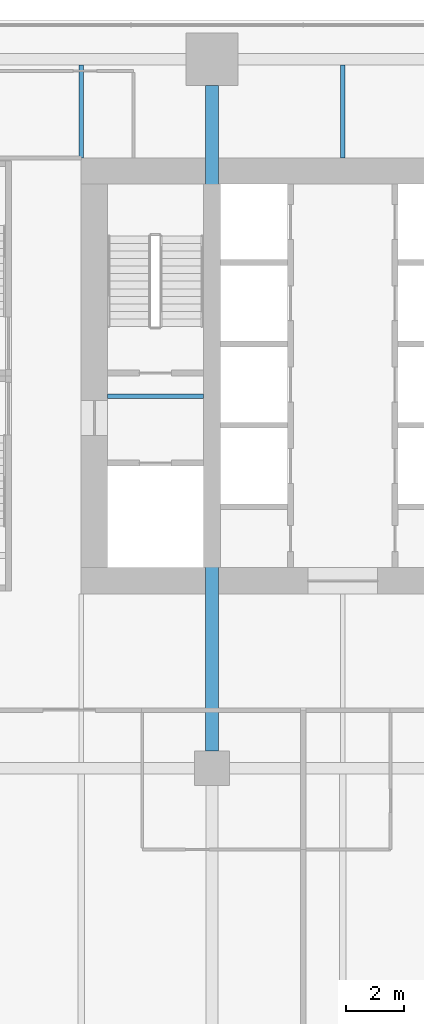
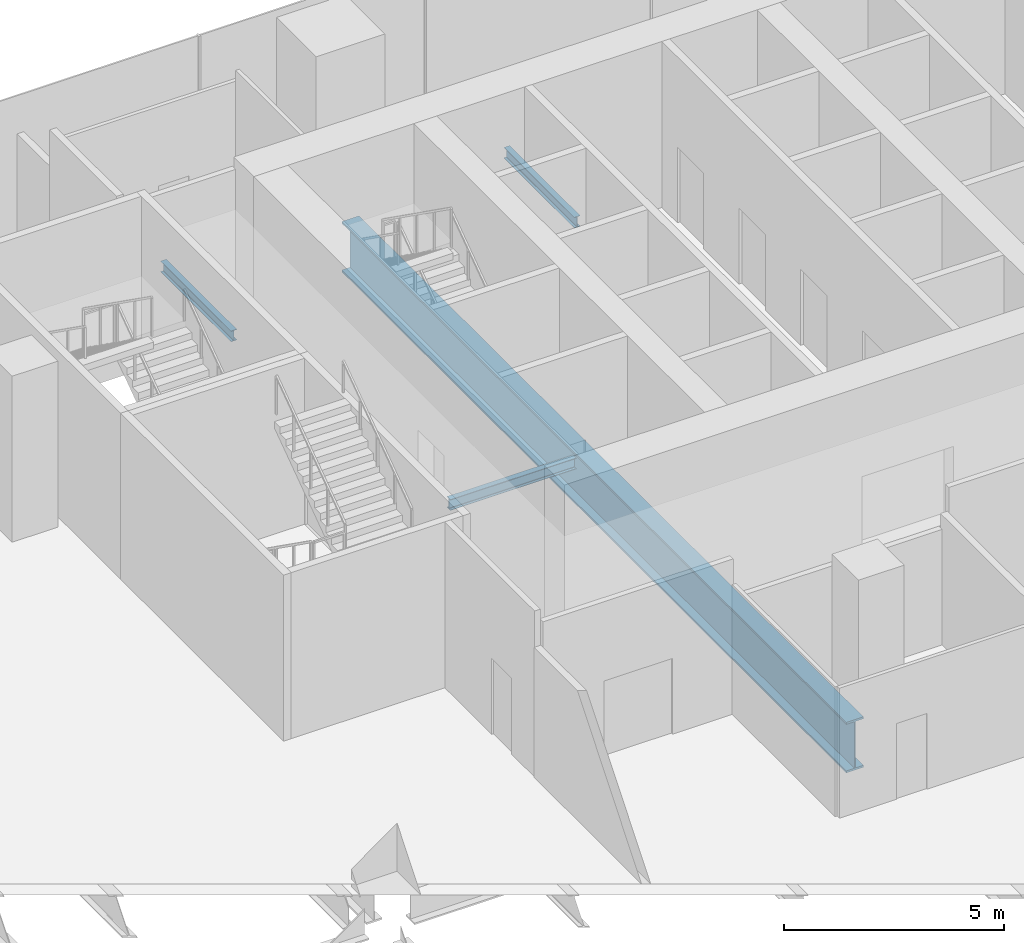
# One storey, part 10 of 29: 4 beams.
"""IFC4 building model written with IfcOpenShell, lengths in metres."""

from ifc_helpers import new_model, si_unit, direction, frame, origin, origin_2d, place, context, subcontext, project, spatial, i_section, extrude, material, material_profile, profile_set, type_object, element, save


model = new_model("IFC4")

# Units and contexts
model_context = context("Model", 3, precision=1e-05, world=origin(), true_north=direction((0.0, 1.0)))
body_context = subcontext(model_context, "Body", "Model", "MODEL_VIEW")
ifc_project = project(units=[si_unit("LENGTHUNIT", "METRE"), si_unit("AREAUNIT", "SQUARE_METRE"), si_unit("VOLUMEUNIT", "CUBIC_METRE"), si_unit("PLANEANGLEUNIT", "RADIAN"), si_unit("MASSUNIT", "GRAM", prefix="KILO")], contexts=[model_context])

# Site, building, storey
site_placement = place(None, origin())
site = spatial("IfcSite", under=ifc_project, at=site_placement, CompositionType="ELEMENT")
building_placement = place(site_placement, origin())
building = spatial("IfcBuilding", under=site, at=building_placement, Name="Rattan Terrace Tower", CompositionType="ELEMENT")
storey_placement = place(building_placement, frame((0.0, 0.0, 12.60009765625)))
storey = spatial("IfcBuildingStorey", under=building, at=storey_placement, Name="L02", CompositionType="ELEMENT", Elevation=12.60009765625)

# Beams
ifc_material_1 = material(Name="Steel S355", Category="steel")
ifc_material_profile_1 = material_profile(ifc_material_1, i_section(OverallWidth=0.14990234375, OverallDepth=0.300048828125, WebThickness=0.007080078125, FlangeThickness=0.0107421875, FilletRadius=0.014892578125, at=origin_2d()), Name="IPE 300")
ifc_profile_set_1 = profile_set([ifc_material_profile_1], Name="Steel S355")
beam_type_1 = type_object("IfcBeamType", Name="Frame floor beam IPE 300", PredefinedType="JOIST", material=ifc_profile_set_1)
beam_1_placement = place(storey_placement, frame((-17.10009765625, -0.695068359375, -0.35009765625), z_axis=(1.0, 0.0, 0.0), x_axis=(0.0, 1.0, 0.0)))
element("IfcBeam", 1, at=beam_1_placement, inside=storey, type_object=beam_type_1, Name="bm-L02-001", PredefinedType="JOIST", context=body_context, shape_type="SweptSolid", body=[
    extrude(i_section(OverallWidth=0.14990234375, OverallDepth=0.300048828125, WebThickness=0.007080078125, FlangeThickness=0.0107421875, FilletRadius=0.014892578125, at=origin_2d()), origin(), (0.0, 0.0, 1.0), 3.300048828125),
])
for number, where, z_axis, x_axis, name in (
    (2, (-18.0, 7.5, -0.35009765625), (0.0, 1.0, 0.0), (-1.0, 0.0, 0.0), "bm-L02-045"),
    (3, (-9.0, 7.5, -0.35009765625), (0.0, 1.0, 0.0), (-1.0, 0.0, 0.0), "bm-L02-046"),
):
    element("IfcBeam", number, at=place(storey_placement, frame(where, z_axis=z_axis, x_axis=x_axis)), inside=storey, type_object=beam_type_1, Name=name, PredefinedType="JOIST", context=body_context, shape_type="SweptSolid", body=[
        extrude(i_section(OverallWidth=0.14990234375, OverallDepth=0.300048828125, WebThickness=0.007080078125, FlangeThickness=0.0107421875, FilletRadius=0.014892578125, at=origin_2d()), origin(), (0.0, 0.0, 1.0), 3.199951171875),
    ])
ifc_material_2 = material(Name="Steel S460", Category="steel")
ifc_material_profile_2 = material_profile(ifc_material_2, i_section(OverallWidth=0.449951171875, OverallDepth=1.39990234375, WebThickness=0.02197265625, FlangeThickness=0.054931640625, at=origin_2d()), Name="PG 1400x450-22-55")
ifc_profile_set_2 = profile_set([ifc_material_profile_2], Name="Steel S460")
beam_type_2 = type_object("IfcBeamType", Name="Frame podium girder PG 1400x450-22-55", PredefinedType="USERDEFINED", material=ifc_profile_set_2)
beam_2_placement = place(storey_placement, frame((-13.5, -12.89990234375, -0.900146484375), z_axis=(0.0, 1.0, 0.0), x_axis=(-1.0, 0.0, 0.0)))
element("IfcBeam", 4, at=beam_2_placement, inside=storey, type_object=beam_type_2, Name="gdr-L02-034", ObjectType="PODIUM GIRDER", PredefinedType="USERDEFINED", context=body_context, shape_type="SweptSolid", body=[
    extrude(i_section(OverallWidth=0.449951171875, OverallDepth=1.39990234375, WebThickness=0.02197265625, FlangeThickness=0.054931640625, at=origin_2d()), origin(), (0.0, 0.0, 1.0), 22.89990234375),
])

save(model, "model.ifc")
